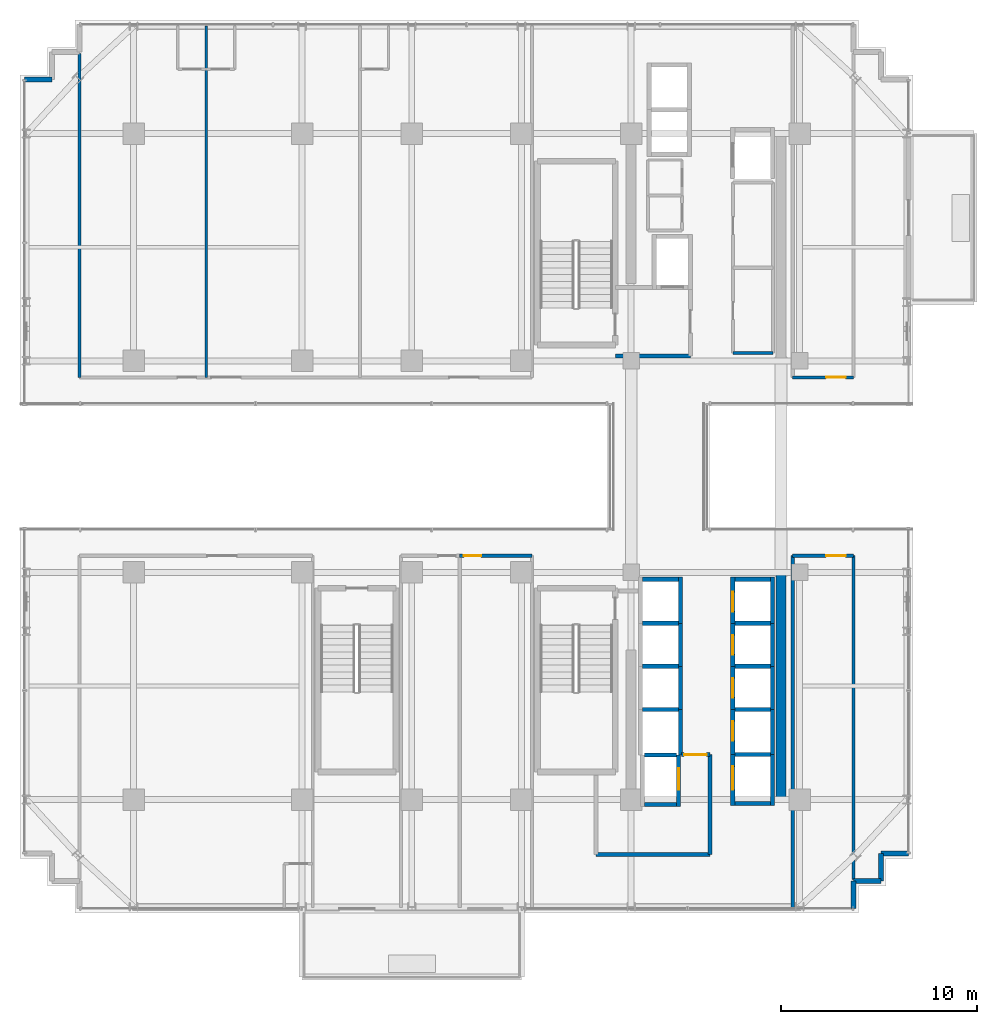
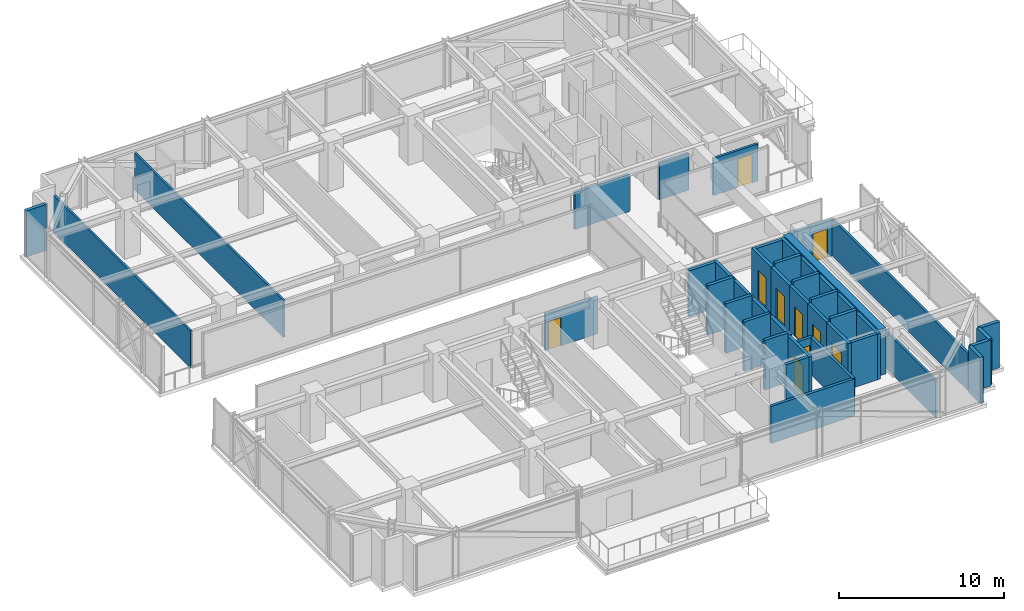
# One storey, part 32 of 38: 45 walls, 10 doors, 10 openings.
"""IFC4 building model written with IfcOpenShell, lengths in metres."""

import ifcopenshell
import ifcopenshell.guid

model = None  # the IFC model being written
_history = None  # IfcOwnerHistory: only IFC2X3 demands one
_inside = {}  # id of a spatial element -> (the spatial element, [elements in it])
_under = {}  # id of a project, library or spatial element -> (it, [spatial elements below it])
_declared = {}  # id of a project -> (the project, [libraries it declares])
_typed = {}  # id of a type object -> (the type object, [elements of that type])
_made_of = {}  # id of a material, layer set ... -> (it, [elements and type objects made of it])


def new_model(schema):
    """Start an empty IFC model of exactly this schema.

    Asked for "IFC4X3", IfcOpenShell would pick the latest addendum, in which some entities
    have other attributes; the version numbers below select the first issue.
    IFC2X3 requires an IfcOwnerHistory on every rooted entity: one is made here for all.
    """
    global model, _history
    if schema == "IFC4X3":
        model = ifcopenshell.file(schema_version=(4, 3, 0, 0))
    else:
        model = ifcopenshell.file(schema=schema)
    _inside.clear()
    _under.clear()
    _declared.clear()
    _typed.clear()
    _made_of.clear()
    _history = None
    if model.schema == "IFC2X3":
        org = make("IfcOrganization", Name="unknown")
        user = make(
            "IfcPersonAndOrganization",
            ThePerson=make("IfcPerson", FamilyName="unknown"),
            TheOrganization=org,
        )
        app = make(
            "IfcApplication",
            ApplicationDeveloper=org,
            Version="unknown",
            ApplicationFullName="unknown",
            ApplicationIdentifier="unknown",
        )
        _history = make(
            "IfcOwnerHistory",
            OwningUser=user,
            OwningApplication=app,
            ChangeAction="ADDED",
            CreationDate=0,
        )
    return model


def make(cls, **values):
    """One entity of the class cls with the attributes given. An attribute that is None is left unset."""
    return model.create_entity(
        cls, **{name: value for name, value in values.items() if value is not None}
    )


def rooted(cls, **values):
    """An entity with a GlobalId (a new one), such as an element, a storey or a relation."""
    return make(cls, GlobalId=ifcopenshell.guid.new(), OwnerHistory=_history, **values)


def si_unit(unit_type, name, prefix=None):
    """IfcSIUnit, for example si_unit("LENGTHUNIT", "METRE", prefix="MILLI")."""
    return make("IfcSIUnit", UnitType=unit_type, Prefix=prefix, Name=name)


def assignment(units):
    """IfcUnitAssignment: the units of a project."""
    return None if units is None else make("IfcUnitAssignment", Units=units)


def point(xyz):
    """IfcCartesianPoint."""
    return None if xyz is None else make("IfcCartesianPoint", Coordinates=xyz)


def direction(xyz):
    """IfcDirection."""
    return None if xyz is None else make("IfcDirection", DirectionRatios=xyz)


def frame(location, z_axis=None, x_axis=None):
    """IfcAxis2Placement3D, a coordinate frame: its origin and axes. An axis left out is left unset."""
    return make(
        "IfcAxis2Placement3D",
        Location=point(location),
        Axis=direction(z_axis),
        RefDirection=direction(x_axis),
    )


def frame_2d(location, x_axis=None):
    """IfcAxis2Placement2D, a coordinate frame in the plane: its origin and x axis."""
    return make(
        "IfcAxis2Placement2D", Location=point(location), RefDirection=direction(x_axis)
    )


def origin():
    """The frame at (0, 0, 0) with its axes left unset."""
    return frame((0.0, 0.0, 0.0))


def place(relative_to, where):
    """IfcLocalPlacement: puts the frame where relative to a parent placement (None: the world)."""
    return make(
        "IfcLocalPlacement", PlacementRelTo=relative_to, RelativePlacement=where
    )


def context(
    kind, dimensions, precision=None, world=None, true_north=None, identifier=None
):
    """IfcGeometricRepresentationContext, for example the 3D "Model" context."""
    return make(
        "IfcGeometricRepresentationContext",
        ContextIdentifier=identifier,
        ContextType=kind,
        CoordinateSpaceDimension=dimensions,
        Precision=precision,
        WorldCoordinateSystem=world,
        TrueNorth=true_north,
    )


def subcontext(parent, identifier, kind, view, scale=None):
    """IfcGeometricRepresentationSubContext, for example "Body" below "Model"."""
    return make(
        "IfcGeometricRepresentationSubContext",
        ContextIdentifier=identifier,
        ContextType=kind,
        ParentContext=parent,
        TargetScale=scale,
        TargetView=view,
    )


def project(units=None, contexts=None):
    """IfcProject with its units and contexts."""
    return rooted(
        "IfcProject",
        Name="project",
        RepresentationContexts=contexts,
        UnitsInContext=assignment(units),
    )


def spatial(cls, under=None, at=None, **own):
    """A site, building, storey or space (cls), placed at a placement, below another one or the project."""
    s = rooted(cls, ObjectPlacement=at, **own)
    if under is not None:
        _under.setdefault(under.id(), (under, []))[1].append(s)
    return s


def profile(cls, at=None, kind="AREA", **sizes):
    """A parametric profile (cls). Its sizes go by their IFC names, for example OverallWidth=200.0."""
    return make(cls, ProfileType=kind, Position=at, **sizes)


def rectangle(**sizes):
    """IfcRectangleProfileDef."""
    return profile("IfcRectangleProfileDef", **sizes)


def extrude(swept, where, along, depth):
    """IfcExtrudedAreaSolid: the profile swept, set in the frame where, extruded along a direction by depth."""
    return make(
        "IfcExtrudedAreaSolid",
        SweptArea=swept,
        Position=where,
        ExtrudedDirection=direction(along),
        Depth=depth,
    )


def shape(context_of_items, identifier, shape_type, items):
    """IfcShapeRepresentation: the items that make up one representation, for example the "Body"."""
    return make(
        "IfcShapeRepresentation",
        ContextOfItems=context_of_items,
        RepresentationIdentifier=identifier,
        RepresentationType=shape_type,
        Items=items,
    )


def source(mapping_origin, context_of_items, identifier, shape_type, items):
    """IfcRepresentationMap: a shape defined once, which mapped items show again and again."""
    return make(
        "IfcRepresentationMap",
        MappingOrigin=mapping_origin,
        MappedRepresentation=shape(context_of_items, identifier, shape_type, items),
    )


def transform(
    local_origin,
    x_axis=None,
    y_axis=None,
    z_axis=None,
    scale=None,
    scale2=None,
    scale3=None,
    uniform=True,
):
    """IfcCartesianTransformationOperator3D, or its non-uniform kind. x_axis, y_axis, z_axis: its Axis1, 2, 3."""
    if uniform:
        return make(
            "IfcCartesianTransformationOperator3D",
            Axis1=direction(x_axis),
            Axis2=direction(y_axis),
            LocalOrigin=point(local_origin),
            Scale=scale,
            Axis3=direction(z_axis),
        )
    return make(
        "IfcCartesianTransformationOperator3DnonUniform",
        Axis1=direction(x_axis),
        Axis2=direction(y_axis),
        LocalOrigin=point(local_origin),
        Scale=scale,
        Axis3=direction(z_axis),
        Scale2=scale2,
        Scale3=scale3,
    )


def mapped(mapping_source, mapping_target):
    """IfcMappedItem: shows the shape of a source again, moved by a transform."""
    return make(
        "IfcMappedItem", MappingSource=mapping_source, MappingTarget=mapping_target
    )


def material(Name=None, Category=None):
    """IfcMaterial."""
    return make("IfcMaterial", Name=Name, Category=Category)


def layer(
    of_material, thickness, ventilated=None, Name=None, Category=None, Priority=None
):
    """IfcMaterialLayer: one layer of a wall or slab, of a material (None: an air gap)."""
    return make(
        "IfcMaterialLayer",
        Material=of_material,
        LayerThickness=thickness,
        IsVentilated=ventilated,
        Name=Name,
        Category=Category,
        Priority=Priority,
    )


def layer_set(layers, Name=None):
    """IfcMaterialLayerSet."""
    return make("IfcMaterialLayerSet", MaterialLayers=layers, LayerSetName=Name)


def made_of(thing, what):
    """Note that an element or type object is made of a material, layer set ...; save() writes the relation."""
    if what is not None:
        _made_of.setdefault(what.id(), (what, []))[1].append(thing)
    return thing


def type_object(cls, material=None, **own):
    """A type object (cls), such as IfcWallType, which elements share."""
    return made_of(rooted(cls, **own), material)


def element(
    cls,
    number,
    at=None,
    inside=None,
    cuts=None,
    type_object=None,
    material=None,
    context=None,
    identifier="Body",
    shape_type=None,
    held_by="IfcProductDefinitionShape",
    body=None,
    shapes=None,
    **own,
):
    """One element of the class cls, such as IfcWall. Its Tag is "e" and its number.

    at: its placement. inside: the storey or other place that contains it. cuts: it is an
    opening in that element (IfcRelVoidsElement). A single representation is given by context,
    identifier, shape_type and body (its items); several are given by shapes. held_by: the class
    of the entity that holds the representations. save() writes the other relations.
    """
    e = rooted(cls, Tag="e%d" % number, ObjectPlacement=at, **own)
    if body is not None:
        shapes = [shape(context, identifier, shape_type, body)]
    if shapes is not None:
        e.Representation = make(held_by, Representations=shapes)
    if inside is not None:
        _inside.setdefault(inside.id(), (inside, []))[1].append(e)
    if cuts is not None:
        rooted(
            "IfcRelVoidsElement", RelatingBuildingElement=cuts, RelatedOpeningElement=e
        )
    if type_object is not None:
        _typed.setdefault(type_object.id(), (type_object, []))[1].append(e)
    return made_of(e, material)


def fill(opening, filler):
    """IfcRelFillsElement: the door or window that sits in an opening."""
    return rooted(
        "IfcRelFillsElement",
        RelatingOpeningElement=opening,
        RelatedBuildingElement=filler,
    )


def aggregate(whole, parts):
    """IfcRelAggregates: a whole, such as a stair, and the parts it consists of."""
    return rooted("IfcRelAggregates", RelatingObject=whole, RelatedObjects=parts)


def save(model, path):
    """Write the relations noted so far, then the file.

    IfcRelAggregates (storeys below a building ...), IfcRelContainedInSpatialStructure (elements
    in a storey), IfcRelDefinesByType, IfcRelAssociatesMaterial and IfcRelDeclares: one each for
    every whole, place, type object, material and project.
    """
    for whole, parts in _under.values():
        aggregate(whole, parts)
    for where, things in _inside.values():
        rooted(
            "IfcRelContainedInSpatialStructure",
            RelatedElements=things,
            RelatingStructure=where,
        )
    for kind, things in _typed.values():
        rooted("IfcRelDefinesByType", RelatedObjects=things, RelatingType=kind)
    for what, things in _made_of.values():
        rooted("IfcRelAssociatesMaterial", RelatedObjects=things, RelatingMaterial=what)
    for by, libraries in _declared.values():
        rooted("IfcRelDeclares", RelatingContext=by, RelatedDefinitions=libraries)
    model.write(path)


model = new_model("IFC4")

# Units and contexts
model_context = context("Model", 3, precision=1e-05, world=origin(), true_north=direction((0.0, 1.0)))
body_context = subcontext(model_context, "Body", "Model", "MODEL_VIEW")
ifc_project = project(units=[si_unit("LENGTHUNIT", "METRE"), si_unit("AREAUNIT", "SQUARE_METRE"), si_unit("VOLUMEUNIT", "CUBIC_METRE"), si_unit("PLANEANGLEUNIT", "RADIAN"), si_unit("MASSUNIT", "GRAM", prefix="KILO")], contexts=[model_context])

# Site, building, storey
site_placement = place(None, origin())
site = spatial("IfcSite", under=ifc_project, at=site_placement, CompositionType="ELEMENT")
building_placement = place(site_placement, origin())
building = spatial("IfcBuilding", under=site, at=building_placement, Name="Nahalor Promenade Grand Hotel", CompositionType="ELEMENT")
storey_placement = place(building_placement, frame((0.0, 0.0, 163.60009765625)))
storey = spatial("IfcBuildingStorey", under=building, at=storey_placement, Name="L41", CompositionType="ELEMENT", Elevation=163.60009765625)

# Walls
ifc_material_1 = material(Name="Concrete B-60 (C50/60)", Category="concrete")
ifc_layer_1 = layer(ifc_material_1, 0.5)
ifc_layer_set_1 = layer_set([ifc_layer_1], Name="Concrete B-60 (C50/60)")
wall_type_1 = type_object("IfcWallType", Name="Wall-CoreShear-500", PredefinedType="SHEAR", material=ifc_layer_set_1)
shared_shape_1 = source(origin(), body_context, "Body", "SweptSolid", [
    extrude(rectangle(XDim=11.60009765625, YDim=0.5, at=frame_2d((5.800048828125, 0.0))), origin(), (0.0, 0.0, 1.0), 3.389892578125),
])
wall_1_placement = place(storey_placement, frame((16.050048828125, -17.0, 0.0), z_axis=(0.0, 0.0, 1.0), x_axis=(0.0, 1.0, 0.0)))
element("IfcWall", 1, at=wall_1_placement, inside=storey, type_object=wall_type_1, Name="CWALL-L41-SE", PredefinedType="SHEAR", context=body_context, shape_type="MappedRepresentation", body=[
    mapped(shared_shape_1, transform((0.0, 0.0, 0.0), scale=1.0)),
])
ifc_material_2 = material(Name="Concrete B-50 (C40/50)", Category="concrete")
ifc_layer_2 = layer(ifc_material_2, 0.219970703125)
ifc_layer_set_2 = layer_set([ifc_layer_2], Name="Concrete B-50 (C40/50)")
wall_type_2 = type_object("IfcWallType", Name="Wall-LiftShaft-220", PredefinedType="SHEAR", material=ifc_layer_set_2)
shared_shape_2 = source(origin(), body_context, "Body", "SweptSolid", [
    extrude(rectangle(XDim=1.820068359375, YDim=0.219970703125, at=frame_2d((0.91015625, 0.0))), origin(), (0.0, 0.0, 1.0), 3.64990234375),
])
for number, where, z_axis, x_axis, name in (
    (2, (13.68994140625, -8.0, 0.0), (0.0, 0.0, 1.0), (1.0, 0.0, 0.0), "L41 Lift PL6 Hoistway Wall N"),
    (3, (13.68994140625, -10.199951171875, 0.0), (0.0, 0.0, 1.0), (1.0, 0.0, 0.0), "L41 Lift PL7 Hoistway Wall N"),
    (4, (13.68994140625, -12.39990234375, 0.0), (0.0, 0.0, 1.0), (1.0, 0.0, 0.0), "L41 Lift PL8 Hoistway Wall N"),
    (5, (8.989990234375, -8.0, 0.0), (0.0, 0.0, 1.0), (1.0, 0.0, 0.0), "L41 Lift PL10 Hoistway Wall N"),
    (6, (8.989990234375, -10.199951171875, 0.0), (0.0, 0.0, 1.0), (1.0, 0.0, 0.0), "L41 Lift PL11 Hoistway Wall N"),
    (7, (8.989990234375, -12.39990234375, 0.0), (0.0, 0.0, 1.0), (1.0, 0.0, 0.0), "L41 Lift PL12 Hoistway Wall N"),
    (8, (13.68994140625, -14.699951171875, 0.0), (0.0, 0.0, 1.0), (1.0, 0.0, 0.0), "L41 Lift SV2 Hoistway Wall N"),
):
    element("IfcWall", number, at=place(storey_placement, frame(where, z_axis=z_axis, x_axis=x_axis)), inside=storey, type_object=wall_type_2, Name=name, PredefinedType="SHEAR", context=body_context, shape_type="MappedRepresentation", body=[
        mapped(shared_shape_2, transform((0.0, 0.0, 0.0), scale=1.0)),
    ])

# Wall, opening, door
shared_shape_3 = source(origin(), body_context, "Body", "SweptSolid", [
    extrude(rectangle(XDim=2.360107421875, YDim=0.219970703125, at=frame_2d((1.18017578125, 0.0))), origin(), (0.0, 0.0, 1.0), 3.389892578125),
])
wall_2_placement = place(storey_placement, frame((13.580078125, -8.0, 0.0), z_axis=(0.0, 0.0, 1.0), x_axis=(0.0, 1.0, 0.0)))
wall_2 = element("IfcWall", 9, at=wall_2_placement, inside=storey, type_object=wall_type_2, Name="L41 Lift PL5 Hoistway Wall W", PredefinedType="SHEAR", context=body_context, shape_type="MappedRepresentation", body=[
    mapped(shared_shape_3, transform((0.0, 0.0, 0.0), scale=1.0)),
])
opening_1_placement = place(wall_2_placement, frame((0.60009765625, 0.0, 0.0)))
opening_1 = element("IfcOpeningElement", 10, at=opening_1_placement, cuts=wall_2, Name="Opening LD-01", PredefinedType="OPENING", context=body_context, shape_type="SweptSolid", body=[
    extrude(rectangle(XDim=1.0, YDim=2.199951171875, at=frame_2d((0.5, 1.10009765625))), frame((0.0, 0.119873046875, 0.0), z_axis=(0.0, -1.0, 0.0), x_axis=(1.0, 0.0, 0.0)), (0.0, 0.0, 1.0), 0.239990234375),
])
ifc_material_3 = material(Name="Steel S355JR", Category="steel")
door_type_1 = type_object("IfcDoorType", Name="Door-LiftLanding-1000", OperationType="DOUBLE_DOOR_SLIDING", PredefinedType="DOOR", material=ifc_material_3)
shared_shape_4 = source(origin(), body_context, "Body", "SweptSolid", [
    extrude(rectangle(XDim=1.0, YDim=2.199951171875, at=frame_2d((0.5, 1.10009765625))), frame((0.0, 0.02490234375, 0.0), z_axis=(0.0, -1.0, 0.0), x_axis=(1.0, 0.0, 0.0)), (0.0, 0.0, 1.0), 0.050048828125),
])
door_1_placement = place(opening_1_placement, origin())
door_1 = element("IfcDoor", 11, at=door_1_placement, inside=storey, type_object=door_type_1, Name="DR-LIFT-PL5-L41", OperationType="DOUBLE_DOOR_SLIDING", OverallHeight=2.199951171875, OverallWidth=1.0, PredefinedType="DOOR", context=body_context, shape_type="MappedRepresentation", body=[
    mapped(shared_shape_4, transform((0.0, 0.0, 0.0), scale=1.0)),
])
fill(opening_1, door_1)

# Walls
for number, where, z_axis, x_axis, name in (
    (12, (15.6201171875, -8.0, 0.0), (0.0, 0.0, 1.0), (0.0, 1.0, 0.0), "L41 Lift PL5 Hoistway Wall E"),
    (13, (10.919921875, -8.0, 0.0), (0.0, 0.0, 1.0), (0.0, 1.0, 0.0), "L41 Lift PL9 Hoistway Wall E"),
):
    element("IfcWall", number, at=place(storey_placement, frame(where, z_axis=z_axis, x_axis=x_axis)), inside=storey, type_object=wall_type_2, Name=name, PredefinedType="SHEAR", context=body_context, shape_type="MappedRepresentation", body=[
        mapped(shared_shape_3, transform((0.0, 0.0, 0.0), scale=1.0)),
    ])
shared_shape_5 = source(origin(), body_context, "Body", "SweptSolid", [
    extrude(rectangle(XDim=1.820068359375, YDim=0.219970703125, at=frame_2d((0.91015625, 0.0))), origin(), (0.0, 0.0, 1.0), 3.389892578125),
])
for number, where, z_axis, x_axis, name in (
    (14, (13.68994140625, -5.75, 0.0), (0.0, 0.0, 1.0), (1.0, 0.0, 0.0), "L41 Lift PL5 Hoistway Wall N"),
    (15, (8.989990234375, -5.75, 0.0), (0.0, 0.0, 1.0), (1.0, 0.0, 0.0), "L41 Lift PL9 Hoistway Wall N"),
    (16, (13.68994140625, -17.199951171875, 0.0), (0.0, 0.0, 1.0), (1.0, 0.0, 0.0), "L41 Lift SV2 Hoistway Wall S"),
):
    element("IfcWall", number, at=place(storey_placement, frame(where, z_axis=z_axis, x_axis=x_axis)), inside=storey, type_object=wall_type_2, Name=name, PredefinedType="SHEAR", context=body_context, shape_type="MappedRepresentation", body=[
        mapped(shared_shape_5, transform((0.0, 0.0, 0.0), scale=1.0)),
    ])

# Wall, opening, door
shared_shape_6 = source(origin(), body_context, "Body", "SweptSolid", [
    extrude(rectangle(XDim=2.199951171875, YDim=0.219970703125, at=frame_2d((1.10009765625, 0.0))), origin(), (0.0, 0.0, 1.0), 3.389892578125),
])
wall_3_placement = place(storey_placement, frame((13.580078125, -10.199951171875, 0.0), z_axis=(0.0, 0.0, 1.0), x_axis=(0.0, 1.0, 0.0)))
wall_3 = element("IfcWall", 17, at=wall_3_placement, inside=storey, type_object=wall_type_2, Name="L41 Lift PL6 Hoistway Wall W", PredefinedType="SHEAR", context=body_context, shape_type="MappedRepresentation", body=[
    mapped(shared_shape_6, transform((0.0, 0.0, 0.0), scale=1.0)),
])
opening_2_placement = place(wall_3_placement, frame((0.60009765625, 0.0, 0.0)))
opening_2 = element("IfcOpeningElement", 18, at=opening_2_placement, cuts=wall_3, Name="Opening LD-01", PredefinedType="OPENING", context=body_context, shape_type="SweptSolid", body=[
    extrude(rectangle(XDim=1.0, YDim=2.199951171875, at=frame_2d((0.5, 1.10009765625))), frame((0.0, 0.119873046875, 0.0), z_axis=(0.0, -1.0, 0.0), x_axis=(1.0, 0.0, 0.0)), (0.0, 0.0, 1.0), 0.239990234375),
])
door_2_placement = place(opening_2_placement, origin())
door_2 = element("IfcDoor", 19, at=door_2_placement, inside=storey, type_object=door_type_1, Name="DR-LIFT-PL6-L41", OperationType="DOUBLE_DOOR_SLIDING", OverallHeight=2.199951171875, OverallWidth=1.0, PredefinedType="DOOR", context=body_context, shape_type="MappedRepresentation", body=[
    mapped(shared_shape_4, transform((0.0, 0.0, 0.0), scale=1.0)),
])
fill(opening_2, door_2)

# Wall
wall_4_placement = place(storey_placement, frame((15.6201171875, -10.199951171875, 0.0), z_axis=(0.0, 0.0, 1.0), x_axis=(0.0, 1.0, 0.0)))
element("IfcWall", 20, at=wall_4_placement, inside=storey, type_object=wall_type_2, Name="L41 Lift PL6 Hoistway Wall E", PredefinedType="SHEAR", context=body_context, shape_type="MappedRepresentation", body=[
    mapped(shared_shape_6, transform((0.0, 0.0, 0.0), scale=1.0)),
])

# Wall, opening, door
wall_5_placement = place(storey_placement, frame((13.580078125, -12.39990234375, 0.0), z_axis=(0.0, 0.0, 1.0), x_axis=(0.0, 1.0, 0.0)))
wall_5 = element("IfcWall", 21, at=wall_5_placement, inside=storey, type_object=wall_type_2, Name="L41 Lift PL7 Hoistway Wall W", PredefinedType="SHEAR", context=body_context, shape_type="MappedRepresentation", body=[
    mapped(shared_shape_6, transform((0.0, 0.0, 0.0), scale=1.0)),
])
opening_3_placement = place(wall_5_placement, frame((0.60009765625, 0.0, 0.0)))
opening_3 = element("IfcOpeningElement", 22, at=opening_3_placement, cuts=wall_5, Name="Opening LD-01", PredefinedType="OPENING", context=body_context, shape_type="SweptSolid", body=[
    extrude(rectangle(XDim=1.0, YDim=2.199951171875, at=frame_2d((0.5, 1.10009765625))), frame((0.0, 0.119873046875, 0.0), z_axis=(0.0, -1.0, 0.0), x_axis=(1.0, 0.0, 0.0)), (0.0, 0.0, 1.0), 0.239990234375),
])
door_3_placement = place(opening_3_placement, origin())
door_3 = element("IfcDoor", 23, at=door_3_placement, inside=storey, type_object=door_type_1, Name="DR-LIFT-PL7-L41", OperationType="DOUBLE_DOOR_SLIDING", OverallHeight=2.199951171875, OverallWidth=1.0, PredefinedType="DOOR", context=body_context, shape_type="MappedRepresentation", body=[
    mapped(shared_shape_4, transform((0.0, 0.0, 0.0), scale=1.0)),
])
fill(opening_3, door_3)

# Walls
for number, where, z_axis, x_axis, name in (
    (24, (15.6201171875, -12.39990234375, 0.0), (0.0, 0.0, 1.0), (0.0, 1.0, 0.0), "L41 Lift PL7 Hoistway Wall E"),
    (25, (10.919921875, -10.199951171875, 0.0), (0.0, 0.0, 1.0), (0.0, 1.0, 0.0), "L41 Lift PL10 Hoistway Wall E"),
    (26, (10.919921875, -12.39990234375, 0.0), (0.0, 0.0, 1.0), (0.0, 1.0, 0.0), "L41 Lift PL11 Hoistway Wall E"),
):
    element("IfcWall", number, at=place(storey_placement, frame(where, z_axis=z_axis, x_axis=x_axis)), inside=storey, type_object=wall_type_2, Name=name, PredefinedType="SHEAR", context=body_context, shape_type="MappedRepresentation", body=[
        mapped(shared_shape_6, transform((0.0, 0.0, 0.0), scale=1.0)),
    ])

# Wall, opening, door
shared_shape_7 = source(origin(), body_context, "Body", "SweptSolid", [
    extrude(rectangle(XDim=2.300048828125, YDim=0.219970703125, at=frame_2d((1.14990234375, 0.0))), origin(), (0.0, 0.0, 1.0), 3.389892578125),
])
wall_6_placement = place(storey_placement, frame((13.580078125, -14.699951171875, 0.0), z_axis=(0.0, 0.0, 1.0), x_axis=(0.0, 1.0, 0.0)))
wall_6 = element("IfcWall", 27, at=wall_6_placement, inside=storey, type_object=wall_type_2, Name="L41 Lift PL8 Hoistway Wall W", PredefinedType="SHEAR", context=body_context, shape_type="MappedRepresentation", body=[
    mapped(shared_shape_7, transform((0.0, 0.0, 0.0), scale=1.0)),
])
opening_4_placement = place(wall_6_placement, frame((0.699951171875, 0.0, 0.0)))
opening_4 = element("IfcOpeningElement", 28, at=opening_4_placement, cuts=wall_6, Name="Opening LD-01", PredefinedType="OPENING", context=body_context, shape_type="SweptSolid", body=[
    extrude(rectangle(XDim=1.0, YDim=2.199951171875, at=frame_2d((0.5, 1.10009765625))), frame((0.0, 0.119873046875, 0.0), z_axis=(0.0, -1.0, 0.0), x_axis=(1.0, 0.0, 0.0)), (0.0, 0.0, 1.0), 0.239990234375),
])
door_4_placement = place(opening_4_placement, origin())
door_4 = element("IfcDoor", 29, at=door_4_placement, inside=storey, type_object=door_type_1, Name="DR-LIFT-PL8-L41", OperationType="DOUBLE_DOOR_SLIDING", OverallHeight=2.199951171875, OverallWidth=1.0, PredefinedType="DOOR", context=body_context, shape_type="MappedRepresentation", body=[
    mapped(shared_shape_4, transform((0.0, 0.0, 0.0), scale=1.0)),
])
fill(opening_4, door_4)

# Walls
wall_7_placement = place(storey_placement, frame((15.6201171875, -14.699951171875, 0.0), z_axis=(0.0, 0.0, 1.0), x_axis=(0.0, 1.0, 0.0)))
element("IfcWall", 30, at=wall_7_placement, inside=storey, type_object=wall_type_2, Name="L41 Lift PL8 Hoistway Wall E", PredefinedType="SHEAR", context=body_context, shape_type="MappedRepresentation", body=[
    mapped(shared_shape_7, transform((0.0, 0.0, 0.0), scale=1.0)),
])
shared_shape_8 = source(origin(), body_context, "Body", "SweptSolid", [
    extrude(rectangle(XDim=2.3251953125, YDim=0.219970703125, at=frame_2d((1.16259765625, 0.0))), origin(), (0.0, 0.0, 1.0), 3.389892578125),
])
wall_8_placement = place(storey_placement, frame((10.919921875, -14.72509765625, 0.0), z_axis=(0.0, 0.0, 1.0), x_axis=(0.0, 1.0, 0.0)))
element("IfcWall", 31, at=wall_8_placement, inside=storey, type_object=wall_type_2, Name="L41 Lift PL12 Hoistway Wall E", PredefinedType="SHEAR", context=body_context, shape_type="MappedRepresentation", body=[
    mapped(shared_shape_8, transform((0.0, 0.0, 0.0), scale=1.0)),
])
shared_shape_9 = source(origin(), body_context, "Body", "SweptSolid", [
    extrude(rectangle(XDim=1.619873046875, YDim=0.219970703125, at=frame_2d((0.81005859375, 0.0))), origin(), (0.0, 0.0, 1.0), 3.64990234375),
])
wall_9_placement = place(storey_placement, frame((9.090087890625, -14.72509765625, 0.0), z_axis=(0.0, 0.0, 1.0), x_axis=(1.0, 0.0, 0.0)))
element("IfcWall", 32, at=wall_9_placement, inside=storey, type_object=wall_type_2, Name="L41 Lift FL2 Hoistway Wall N", PredefinedType="SHEAR", context=body_context, shape_type="MappedRepresentation", body=[
    mapped(shared_shape_9, transform((0.0, 0.0, 0.0), scale=1.0)),
])

# Wall, opening, door
shared_shape_10 = source(origin(), body_context, "Body", "SweptSolid", [
    extrude(rectangle(XDim=2.635009765625, YDim=0.219970703125, at=frame_2d((1.3173828125, 0.0))), origin(), (0.0, 0.0, 1.0), 3.389892578125),
])
wall_10_placement = place(storey_placement, frame((10.820068359375, -17.360107421875, 0.0), z_axis=(0.0, 0.0, 1.0), x_axis=(0.0, 1.0, 0.0)))
wall_10 = element("IfcWall", 33, at=wall_10_placement, inside=storey, type_object=wall_type_2, Name="L41 Lift FL2 Hoistway Wall E", PredefinedType="SHEAR", context=body_context, shape_type="MappedRepresentation", body=[
    mapped(shared_shape_10, transform((0.0, 0.0, 0.0), scale=1.0)),
])
opening_5_placement = place(wall_10_placement, frame((0.860107421875, 0.0, 0.0)))
opening_5 = element("IfcOpeningElement", 34, at=opening_5_placement, cuts=wall_10, Name="Opening LD-02", PredefinedType="OPENING", context=body_context, shape_type="SweptSolid", body=[
    extrude(rectangle(XDim=1.10009765625, YDim=2.199951171875, at=frame_2d((0.550048828125, 1.10009765625))), frame((0.0, 0.119873046875, 0.0), z_axis=(0.0, -1.0, 0.0), x_axis=(1.0, 0.0, 0.0)), (0.0, 0.0, 1.0), 0.239990234375),
])
door_type_2 = type_object("IfcDoorType", Name="Door-LiftFF-1100", OperationType="DOUBLE_DOOR_SLIDING", PredefinedType="DOOR", material=ifc_material_3)
shared_shape_11 = source(origin(), body_context, "Body", "SweptSolid", [
    extrude(rectangle(XDim=1.10009765625, YDim=2.199951171875, at=frame_2d((0.550048828125, 1.10009765625))), frame((0.0, 0.02490234375, 0.0), z_axis=(0.0, -1.0, 0.0), x_axis=(1.0, 0.0, 0.0)), (0.0, 0.0, 1.0), 0.050048828125),
])
door_5_placement = place(opening_5_placement, frame((1.10009765625, 0.0, 0.0), z_axis=(0.0, 0.0, 1.0), x_axis=(-1.0, 0.0, 0.0)))
door_5 = element("IfcDoor", 35, at=door_5_placement, inside=storey, type_object=door_type_2, Name="DR-LIFT-FL2-L41", OperationType="DOUBLE_DOOR_SLIDING", OverallHeight=2.199951171875, OverallWidth=1.10009765625, PredefinedType="DOOR", context=body_context, shape_type="MappedRepresentation", body=[
    mapped(shared_shape_11, transform((0.0, 0.0, 0.0), scale=1.0)),
])
fill(opening_5, door_5)

# Wall
shared_shape_12 = source(origin(), body_context, "Body", "SweptSolid", [
    extrude(rectangle(XDim=1.619873046875, YDim=0.219970703125, at=frame_2d((0.81005859375, 0.0))), origin(), (0.0, 0.0, 1.0), 3.389892578125),
])
wall_11_placement = place(storey_placement, frame((9.090087890625, -17.25, 0.0), z_axis=(0.0, 0.0, 1.0), x_axis=(1.0, 0.0, 0.0)))
element("IfcWall", 36, at=wall_11_placement, inside=storey, type_object=wall_type_2, Name="L41 Lift FL2 Hoistway Wall S", PredefinedType="SHEAR", context=body_context, shape_type="MappedRepresentation", body=[
    mapped(shared_shape_12, transform((0.0, 0.0, 0.0), scale=1.0)),
])

# Wall, opening, door
shared_shape_13 = source(origin(), body_context, "Body", "SweptSolid", [
    extrude(rectangle(XDim=2.610107421875, YDim=0.219970703125, at=frame_2d((1.30517578125, 0.0))), origin(), (0.0, 0.0, 1.0), 3.389892578125),
])
wall_12_placement = place(storey_placement, frame((13.580078125, -17.31005859375, 0.0), z_axis=(0.0, 0.0, 1.0), x_axis=(0.0, 1.0, 0.0)))
wall_12 = element("IfcWall", 37, at=wall_12_placement, inside=storey, type_object=wall_type_2, Name="L41 Lift SV2 Hoistway Wall W", PredefinedType="SHEAR", context=body_context, shape_type="MappedRepresentation", body=[
    mapped(shared_shape_13, transform((0.0, 0.0, 0.0), scale=1.0)),
])
opening_6_placement = place(wall_12_placement, frame((0.81005859375, 0.0, 0.0)))
opening_6 = element("IfcOpeningElement", 38, at=opening_6_placement, cuts=wall_12, Name="Opening LD-03", PredefinedType="OPENING", context=body_context, shape_type="SweptSolid", body=[
    extrude(rectangle(XDim=1.199951171875, YDim=2.199951171875, at=frame_2d((0.60009765625, 1.10009765625))), frame((0.0, 0.119873046875, 0.0), z_axis=(0.0, -1.0, 0.0), x_axis=(1.0, 0.0, 0.0)), (0.0, 0.0, 1.0), 0.239990234375),
])
door_type_3 = type_object("IfcDoorType", Name="Door-LiftService-1200", OperationType="DOUBLE_DOOR_SLIDING", PredefinedType="DOOR", material=ifc_material_3)
shared_shape_14 = source(origin(), body_context, "Body", "SweptSolid", [
    extrude(rectangle(XDim=1.199951171875, YDim=2.199951171875, at=frame_2d((0.60009765625, 1.10009765625))), frame((0.0, 0.02490234375, 0.0), z_axis=(0.0, -1.0, 0.0), x_axis=(1.0, 0.0, 0.0)), (0.0, 0.0, 1.0), 0.050048828125),
])
door_6_placement = place(opening_6_placement, origin())
door_6 = element("IfcDoor", 39, at=door_6_placement, inside=storey, type_object=door_type_3, Name="DR-LIFT-SV2-L41", OperationType="DOUBLE_DOOR_SLIDING", OverallHeight=2.199951171875, OverallWidth=1.199951171875, PredefinedType="DOOR", context=body_context, shape_type="MappedRepresentation", body=[
    mapped(shared_shape_14, transform((0.0, 0.0, 0.0), scale=1.0)),
])
fill(opening_6, door_6)

# Walls
wall_13_placement = place(storey_placement, frame((15.6201171875, -17.31005859375, 0.0), z_axis=(0.0, 0.0, 1.0), x_axis=(0.0, 1.0, 0.0)))
element("IfcWall", 40, at=wall_13_placement, inside=storey, type_object=wall_type_2, Name="L41 Lift SV2 Hoistway Wall E", PredefinedType="SHEAR", context=body_context, shape_type="MappedRepresentation", body=[
    mapped(shared_shape_13, transform((0.0, 0.0, 0.0), scale=1.0)),
])
ifc_material_4 = material(Name="Concrete B-40 (C32/40)", Category="concrete")
ifc_layer_3 = layer(ifc_material_4, 0.25)
ifc_layer_set_3 = layer_set([ifc_layer_3], Name="Concrete B-40 (C32/40)")
wall_type_3 = type_object("IfcWallType", Name="Wall-BronzePier-250", PredefinedType="STANDARD", material=ifc_layer_set_3)
shared_shape_15 = source(origin(), body_context, "Body", "SweptSolid", [
    extrude(rectangle(XDim=1.400146484375, YDim=0.25, at=frame_2d((0.7001953125, 0.0))), origin(), (0.0, 0.0, 1.0), 3.389892578125),
])
for number, where, z_axis, x_axis, name in (
    (41, (19.760009765625, -22.56005859375, 0.0), (0.0, 0.0, 1.0), (0.0, 1.0, 0.0), "W-L41-SR-01"),
    (42, (21.159912109375, -19.760009765625, 0.0), (0.0, 0.0, 1.0), (1.0, 0.0, 0.0), "W-L41-SR-04"),
    (43, (-22.56005859375, 19.760009765625, 0.0), (0.0, 0.0, 1.0), (1.0, 0.0, 0.0), "W-L41-SR-12"),
):
    element("IfcWall", number, at=place(storey_placement, frame(where, z_axis=z_axis, x_axis=x_axis)), inside=storey, type_object=wall_type_3, Name=name, PredefinedType="STANDARD", context=body_context, shape_type="MappedRepresentation", body=[
        mapped(shared_shape_15, transform((0.0, 0.0, 0.0), scale=1.0)),
    ])
shared_shape_16 = source(origin(), body_context, "Body", "SweptSolid", [
    extrude(rectangle(XDim=1.39990234375, YDim=0.25, at=frame_2d((0.699951171875, 0.0))), origin(), (0.0, 0.0, 1.0), 3.389892578125),
])
for number, where, z_axis, x_axis, name in (
    (44, (19.760009765625, -21.159912109375, 0.0), (0.0, 0.0, 1.0), (1.0, 0.0, 0.0), "W-L41-SR-02"),
    (45, (21.159912109375, -21.159912109375, 0.0), (0.0, 0.0, 1.0), (0.0, 1.0, 0.0), "W-L41-SR-03"),
):
    element("IfcWall", number, at=place(storey_placement, frame(where, z_axis=z_axis, x_axis=x_axis)), inside=storey, type_object=wall_type_3, Name=name, PredefinedType="STANDARD", context=body_context, shape_type="MappedRepresentation", body=[
        mapped(shared_shape_16, transform((0.0, 0.0, 0.0), scale=1.0)),
    ])
ifc_layer_4 = layer(ifc_material_4, 0.199951171875)
ifc_layer_set_4 = layer_set([ifc_layer_4], Name="Concrete B-40 (C32/40)")
wall_type_4 = type_object("IfcWallType", Name="Wall-PartFire-200", PredefinedType="PARTITIONING", material=ifc_layer_set_4)
shared_shape_17 = source(origin(), body_context, "Body", "SweptSolid", [
    extrude(rectangle(XDim=3.81982421875, YDim=0.199951171875, at=frame_2d((1.909912109375, 0.0))), origin(), (0.0, 0.0, 1.0), 2.72998046875),
])
wall_14_placement = place(storey_placement, frame((7.60009765625, 5.64990234375, 0.0), z_axis=(0.0, 0.0, 1.0), x_axis=(1.0, 0.0, 0.0)))
element("IfcWall", 46, at=wall_14_placement, inside=storey, type_object=wall_type_4, Name="W-L41-FF1-S", PredefinedType="PARTITIONING", context=body_context, shape_type="MappedRepresentation", body=[
    mapped(shared_shape_17, transform((0.0, 0.0, 0.0), scale=1.0)),
])
shared_shape_18 = source(origin(), body_context, "Body", "SweptSolid", [
    extrude(rectangle(XDim=5.81982421875, YDim=0.199951171875, at=frame_2d((2.909912109375, 0.0))), origin(), (0.0, 0.0, 1.0), 2.72998046875),
])
wall_15_placement = place(storey_placement, frame((6.60009765625, -19.800048828125, 0.0), z_axis=(0.0, 0.0, 1.0), x_axis=(1.0, 0.0, 0.0)))
element("IfcWall", 47, at=wall_15_placement, inside=storey, type_object=wall_type_4, Name="W-L41-FF2-S1", PredefinedType="PARTITIONING", context=body_context, shape_type="MappedRepresentation", body=[
    mapped(shared_shape_18, transform((0.0, 0.0, 0.0), scale=1.0)),
])
shared_shape_19 = source(origin(), body_context, "Body", "SweptSolid", [
    extrude(rectangle(XDim=5.10009765625, YDim=0.199951171875, at=frame_2d((2.550048828125, 0.0))), origin(), (0.0, 0.0, 1.0), 2.72998046875),
])
wall_16_placement = place(storey_placement, frame((12.419921875, -19.800048828125, 0.0), z_axis=(0.0, 0.0, 1.0), x_axis=(0.0, 1.0, 0.0)))
element("IfcWall", 48, at=wall_16_placement, inside=storey, type_object=wall_type_4, Name="W-L41-FF2-E", PredefinedType="PARTITIONING", context=body_context, shape_type="MappedRepresentation", body=[
    mapped(shared_shape_19, transform((0.0, 0.0, 0.0), scale=1.0)),
])

# Wall, opening, door
shared_shape_20 = source(origin(), body_context, "Body", "SweptSolid", [
    extrude(rectangle(XDim=1.4599609375, YDim=0.199951171875, at=frame_2d((0.72998046875, 0.0))), origin(), (0.0, 0.0, 1.0), 2.72998046875),
])
wall_17_placement = place(storey_placement, frame((10.9599609375, -14.699951171875, 0.0), z_axis=(0.0, 0.0, 1.0), x_axis=(1.0, 0.0, 0.0)))
wall_17 = element("IfcWall", 49, at=wall_17_placement, inside=storey, type_object=wall_type_4, Name="W-L41-FF2-N1", PredefinedType="PARTITIONING", context=body_context, shape_type="MappedRepresentation", body=[
    mapped(shared_shape_20, transform((0.0, 0.0, 0.0), scale=1.0)),
])
opening_7_placement = place(wall_17_placement, frame((0.14501953125, 0.0, 0.0)))
opening_7 = element("IfcOpeningElement", 50, at=opening_7_placement, cuts=wall_17, Name="Opening D-FF1", PredefinedType="OPENING", context=body_context, shape_type="SweptSolid", body=[
    extrude(rectangle(XDim=1.14990234375, YDim=2.14990234375, at=frame_2d((0.574951171875, 1.074951171875))), frame((0.0, 0.10986328125, 0.0), z_axis=(0.0, -1.0, 0.0), x_axis=(1.0, 0.0, 0.0)), (0.0, 0.0, 1.0), 0.219970703125),
])
door_type_4 = type_object("IfcDoorType", Name="Door-FFLobby-1150", OperationType="NOTDEFINED", PredefinedType="DOOR", material=ifc_material_3)
shared_shape_21 = source(origin(), body_context, "Body", "SweptSolid", [
    extrude(rectangle(XDim=1.14990234375, YDim=2.14990234375, at=frame_2d((0.574951171875, 1.074951171875))), frame((0.0, 0.02490234375, 0.0), z_axis=(0.0, -1.0, 0.0), x_axis=(1.0, 0.0, 0.0)), (0.0, 0.0, 1.0), 0.050048828125),
])
door_7_placement = place(opening_7_placement, origin())
door_7 = element("IfcDoor", 51, at=door_7_placement, inside=storey, type_object=door_type_4, Name="DR-L41-FFL2", OperationType="SINGLE_SWING_RIGHT", OverallHeight=2.14990234375, OverallWidth=1.14990234375, PredefinedType="DOOR", context=body_context, shape_type="MappedRepresentation", body=[
    mapped(shared_shape_21, transform((0.0, 0.0, 0.0), scale=1.0)),
])
fill(opening_7, door_7)

# Wall
ifc_material_5 = material(Name="Acoustic Mineral Gypsum", Category="gypsum")
ifc_layer_5 = layer(ifc_material_5, 0.159912109375)
ifc_layer_set_5 = layer_set([ifc_layer_5], Name="Acoustic Mineral Gypsum")
wall_type_5 = type_object("IfcWallType", Name="Wall-PartCorridor-160", PredefinedType="PARTITIONING", material=ifc_layer_set_5)
shared_shape_22 = source(origin(), body_context, "Body", "SweptSolid", [
    extrude(rectangle(XDim=2.0498046875, YDim=0.159912109375, at=frame_2d((1.02490234375, 0.0))), origin(), (0.0, 0.0, 1.0), 2.72998046875),
])
wall_18_placement = place(storey_placement, frame((13.60009765625, 5.800048828125, 0.0), z_axis=(0.0, 0.0, 1.0), x_axis=(1.0, 0.0, 0.0)))
element("IfcWall", 52, at=wall_18_placement, inside=storey, type_object=wall_type_5, Name="W-L41-FRB1A-S", PredefinedType="PARTITIONING", context=body_context, shape_type="MappedRepresentation", body=[
    mapped(shared_shape_22, transform((0.0, 0.0, 0.0), scale=1.0)),
])

# Wall, opening, door
shared_shape_23 = source(origin(), body_context, "Body", "SweptSolid", [
    extrude(rectangle(XDim=3.110107421875, YDim=0.159912109375, at=frame_2d((1.55517578125, 0.0))), origin(), (0.0, 0.0, 1.0), 2.72998046875),
])
wall_19_placement = place(storey_placement, frame((16.64990234375, 4.550048828125, 0.0), z_axis=(0.0, 0.0, 1.0), x_axis=(1.0, 0.0, 0.0)))
wall_19 = element("IfcWall", 53, at=wall_19_placement, inside=storey, type_object=wall_type_5, Name="W-L41-ENE-S", PredefinedType="PARTITIONING", context=body_context, shape_type="MappedRepresentation", body=[
    mapped(shared_shape_23, transform((0.0, 0.0, 0.0), scale=1.0)),
])
opening_8_placement = place(wall_19_placement, frame((1.700927734375, 0.0, 0.0)))
opening_8 = element("IfcOpeningElement", 54, at=opening_8_placement, cuts=wall_19, Name="Opening D-04", PredefinedType="OPENING", context=body_context, shape_type="SweptSolid", body=[
    extrude(rectangle(XDim=1.0, YDim=2.10009765625, at=frame_2d((0.5, 1.050048828125))), frame((0.0, 0.08984375, 0.0), z_axis=(0.0, -1.0, 0.0), x_axis=(1.0, 0.0, 0.0)), (0.0, 0.0, 1.0), 0.179931640625),
])
door_type_5 = type_object("IfcDoorType", Name="Door-ServiceFire-1000", OperationType="NOTDEFINED", PredefinedType="DOOR", material=ifc_material_3)
shared_shape_24 = source(origin(), body_context, "Body", "SweptSolid", [
    extrude(rectangle(XDim=1.0, YDim=2.10009765625, at=frame_2d((0.5, 1.050048828125))), frame((0.0, 0.02490234375, 0.0), z_axis=(0.0, -1.0, 0.0), x_axis=(1.0, 0.0, 0.0)), (0.0, 0.0, 1.0), 0.050048828125),
])
door_8_placement = place(opening_8_placement, origin())
door_8 = element("IfcDoor", 55, at=door_8_placement, inside=storey, type_object=door_type_5, Name="DR-L41-ENE", OperationType="SINGLE_SWING_LEFT", OverallHeight=2.10009765625, OverallWidth=1.0, PredefinedType="DOOR", context=body_context, shape_type="MappedRepresentation", body=[
    mapped(shared_shape_24, transform((0.0, 0.0, 0.0), scale=1.0)),
])
fill(opening_8, door_8)

wall_20_placement = place(storey_placement, frame((16.64990234375, -4.550048828125, 0.0), z_axis=(0.0, 0.0, 1.0), x_axis=(1.0, 0.0, 0.0)))
wall_20 = element("IfcWall", 56, at=wall_20_placement, inside=storey, type_object=wall_type_5, Name="W-L41-ESE-N", PredefinedType="PARTITIONING", context=body_context, shape_type="MappedRepresentation", body=[
    mapped(shared_shape_23, transform((0.0, 0.0, 0.0), scale=1.0)),
])
opening_9_placement = place(wall_20_placement, frame((1.700927734375, 0.0, 0.0)))
opening_9 = element("IfcOpeningElement", 57, at=opening_9_placement, cuts=wall_20, Name="Opening D-04", PredefinedType="OPENING", context=body_context, shape_type="SweptSolid", body=[
    extrude(rectangle(XDim=1.0, YDim=2.10009765625, at=frame_2d((0.5, 1.050048828125))), frame((0.0, 0.08984375, 0.0), z_axis=(0.0, -1.0, 0.0), x_axis=(1.0, 0.0, 0.0)), (0.0, 0.0, 1.0), 0.179931640625),
])
door_9_placement = place(opening_9_placement, frame((1.0, 0.0, 0.0), z_axis=(0.0, 0.0, 1.0), x_axis=(-1.0, 0.0, 0.0)))
door_9 = element("IfcDoor", 58, at=door_9_placement, inside=storey, type_object=door_type_5, Name="DR-L41-ESE", OperationType="SINGLE_SWING_RIGHT", OverallHeight=2.10009765625, OverallWidth=1.0, PredefinedType="DOOR", context=body_context, shape_type="MappedRepresentation", body=[
    mapped(shared_shape_24, transform((0.0, 0.0, 0.0), scale=1.0)),
])
fill(opening_9, door_9)

# Walls
shared_shape_25 = source(origin(), body_context, "Body", "SweptSolid", [
    extrude(rectangle(XDim=17.949951171875, YDim=0.159912109375, at=frame_2d((8.97509765625, 0.0))), origin(), (0.0, 0.0, 1.0), 2.72998046875),
])
wall_21_placement = place(storey_placement, frame((16.64990234375, -22.5, 0.0), z_axis=(0.0, 0.0, 1.0), x_axis=(0.0, 1.0, 0.0)))
element("IfcWall", 59, at=wall_21_placement, inside=storey, type_object=wall_type_5, Name="W-L41-ESE-W", PredefinedType="PARTITIONING", context=body_context, shape_type="MappedRepresentation", body=[
    mapped(shared_shape_25, transform((0.0, 0.0, 0.0), scale=1.0)),
])
shared_shape_26 = source(origin(), body_context, "Body", "SweptSolid", [
    extrude(rectangle(XDim=16.530029296875, YDim=0.159912109375, at=frame_2d((8.26513671875, 0.0))), origin(), (0.0, 0.0, 1.0), 2.72998046875),
])
wall_22_placement = place(storey_placement, frame((19.760009765625, -21.080078125, 0.0), z_axis=(0.0, 0.0, 1.0), x_axis=(0.0, 1.0, 0.0)))
element("IfcWall", 60, at=wall_22_placement, inside=storey, type_object=wall_type_5, Name="W-L41-ESE-E", PredefinedType="PARTITIONING", context=body_context, shape_type="MappedRepresentation", body=[
    mapped(shared_shape_26, transform((0.0, 0.0, 0.0), scale=1.0)),
])
ifc_layer_6 = layer(ifc_material_5, 0.139892578125)
ifc_layer_set_6 = layer_set([ifc_layer_6], Name="Acoustic Mineral Gypsum")
wall_type_6 = type_object("IfcWallType", Name="Wall-PartSuite-140", PredefinedType="PARTITIONING", material=ifc_layer_set_6)
shared_shape_27 = source(origin(), body_context, "Body", "SweptSolid", [
    extrude(rectangle(XDim=17.949951171875, YDim=0.139892578125, at=frame_2d((8.97509765625, 0.0))), origin(), (0.0, 0.0, 1.0), 2.72998046875),
])
wall_23_placement = place(storey_placement, frame((-13.2919921875, 4.550048828125, 0.0), z_axis=(0.0, 0.0, 1.0), x_axis=(0.0, 1.0, 0.0)))
element("IfcWall", 61, at=wall_23_placement, inside=storey, type_object=wall_type_6, Name="W-L41-NP-1", PredefinedType="PARTITIONING", context=body_context, shape_type="MappedRepresentation", body=[
    mapped(shared_shape_27, transform((0.0, 0.0, 0.0), scale=1.0)),
])

# Wall, opening, door
shared_shape_28 = source(origin(), body_context, "Body", "SweptSolid", [
    extrude(rectangle(XDim=3.690185546875, YDim=0.159912109375, at=frame_2d((1.84521484375, 0.0))), origin(), (0.0, 0.0, 1.0), 2.72998046875),
])
wall_24_placement = place(storey_placement, frame((-0.35009765625, -4.550048828125, 0.0), z_axis=(0.0, 0.0, 1.0), x_axis=(1.0, 0.0, 0.0)))
wall_24 = element("IfcWall", 62, at=wall_24_placement, inside=storey, type_object=wall_type_5, Name="W-L41-SCB2-N", PredefinedType="PARTITIONING", context=body_context, shape_type="MappedRepresentation", body=[
    mapped(shared_shape_28, transform((0.0, 0.0, 0.0), scale=1.0)),
])
opening_10_placement = place(wall_24_placement, frame((0.2099609375, 0.0, 0.0)))
opening_10 = element("IfcOpeningElement", 63, at=opening_10_placement, cuts=wall_24, Name="Opening D-03", PredefinedType="OPENING", context=body_context, shape_type="SweptSolid", body=[
    extrude(rectangle(XDim=0.8798828125, YDim=2.10009765625, at=frame_2d((0.43994140625, 1.050048828125))), frame((0.0, 0.08984375, 0.0), z_axis=(0.0, -1.0, 0.0), x_axis=(1.0, 0.0, 0.0)), (0.0, 0.0, 1.0), 0.179931640625),
])
ifc_material_6 = material(Name="Fire-Rated Timber Composite", Category="wood")
door_type_6 = type_object("IfcDoorType", Name="Door-BathSwing-880", OperationType="NOTDEFINED", PredefinedType="DOOR", material=ifc_material_6)
shared_shape_29 = source(origin(), body_context, "Body", "SweptSolid", [
    extrude(rectangle(XDim=0.8798828125, YDim=2.10009765625, at=frame_2d((0.43994140625, 1.050048828125))), frame((0.0, 0.02490234375, 0.0), z_axis=(0.0, -1.0, 0.0), x_axis=(1.0, 0.0, 0.0)), (0.0, 0.0, 1.0), 0.050048828125),
])
door_10_placement = place(opening_10_placement, frame((0.8798828125, 0.0, 0.0), z_axis=(0.0, 0.0, 1.0), x_axis=(-1.0, 0.0, 0.0)))
door_10 = element("IfcDoor", 64, at=door_10_placement, inside=storey, type_object=door_type_6, Name="DR-L41-SCB2", OperationType="SINGLE_SWING_LEFT", OverallHeight=2.10009765625, OverallWidth=0.8798828125, PredefinedType="DOOR", context=body_context, shape_type="MappedRepresentation", body=[
    mapped(shared_shape_29, transform((0.0, 0.0, 0.0), scale=1.0)),
])
fill(opening_10, door_10)

# Wall
shared_shape_30 = source(origin(), body_context, "Body", "SweptSolid", [
    extrude(rectangle(XDim=16.530029296875, YDim=0.139892578125, at=frame_2d((8.26513671875, 0.0))), origin(), (0.0, 0.0, 1.0), 2.72998046875),
])
wall_25_placement = place(storey_placement, frame((-19.760009765625, 4.550048828125, 0.0), z_axis=(0.0, 0.0, 1.0), x_axis=(0.0, 1.0, 0.0)))
element("IfcWall", 65, at=wall_25_placement, inside=storey, type_object=wall_type_6, Name="W-L41-NW-ENDW", PredefinedType="PARTITIONING", context=body_context, shape_type="MappedRepresentation", body=[
    mapped(shared_shape_30, transform((0.0, 0.0, 0.0), scale=1.0)),
])

save(model, "model.ifc")
